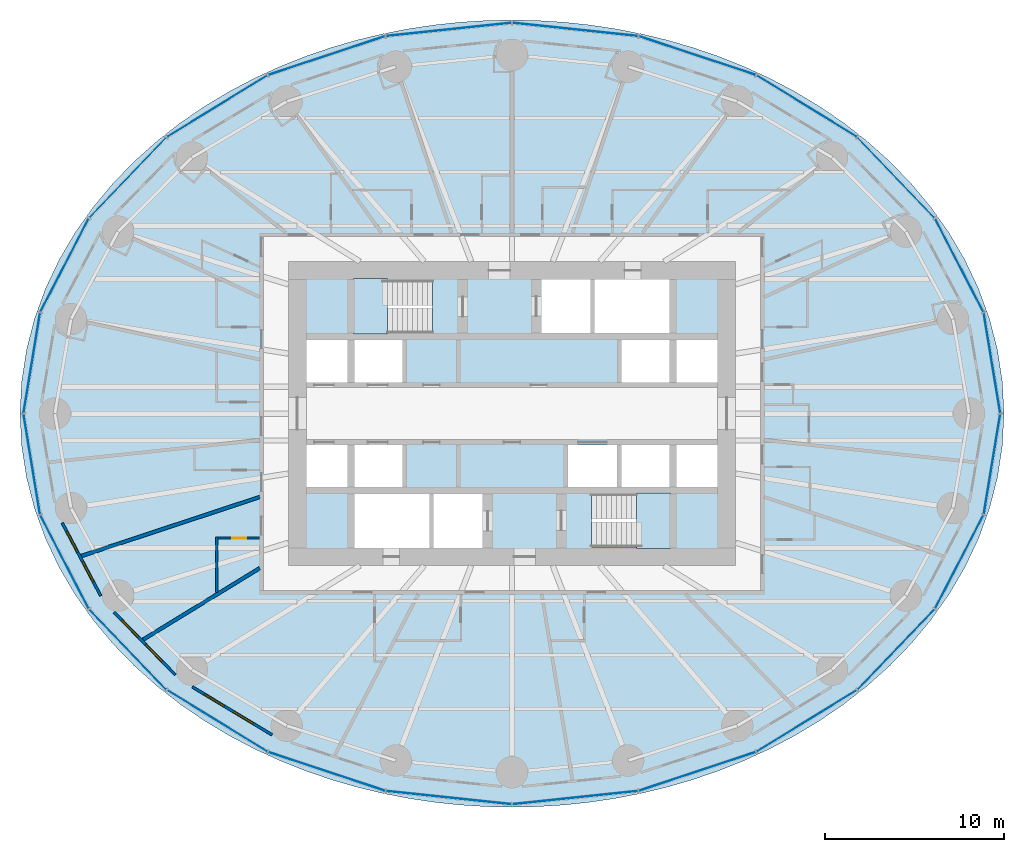
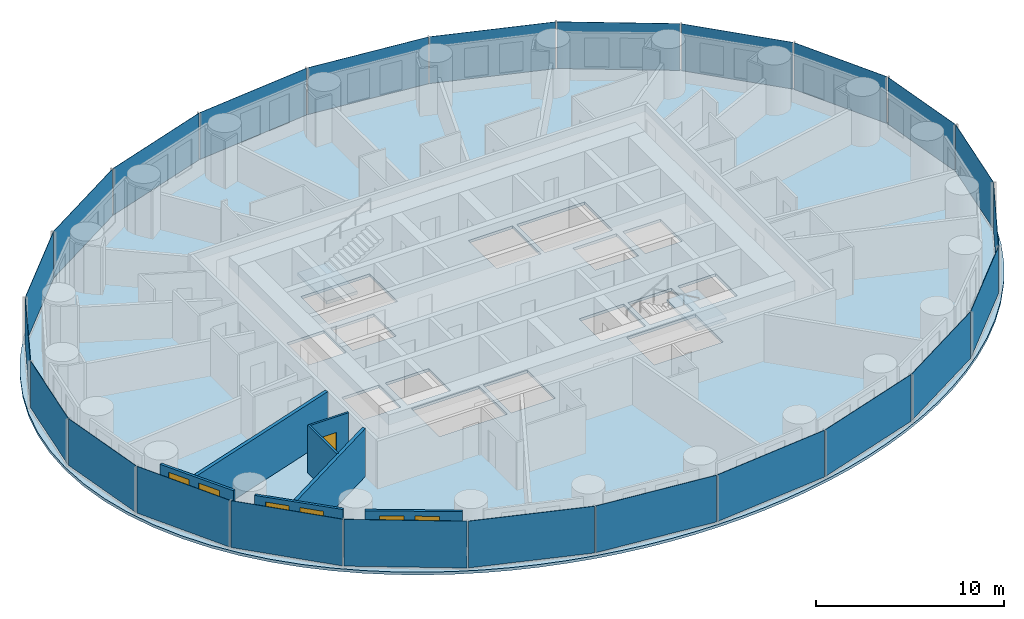
# One storey, part 5 of 13: 24 plates, 7 walls, 6 windows, 3 slabs, 1 door, 7 openings, 6 elements without a shape of their own.
"""IFC4 building model written with IfcOpenShell, lengths in metres."""

import ifcopenshell
import ifcopenshell.guid

model = None  # the IFC model being written
_history = None  # IfcOwnerHistory: only IFC2X3 demands one
_inside = {}  # id of a spatial element -> (the spatial element, [elements in it])
_under = {}  # id of a project, library or spatial element -> (it, [spatial elements below it])
_declared = {}  # id of a project -> (the project, [libraries it declares])
_typed = {}  # id of a type object -> (the type object, [elements of that type])
_made_of = {}  # id of a material, layer set ... -> (it, [elements and type objects made of it])


def new_model(schema):
    """Start an empty IFC model of exactly this schema.

    Asked for "IFC4X3", IfcOpenShell would pick the latest addendum, in which some entities
    have other attributes; the version numbers below select the first issue.
    IFC2X3 requires an IfcOwnerHistory on every rooted entity: one is made here for all.
    """
    global model, _history
    if schema == "IFC4X3":
        model = ifcopenshell.file(schema_version=(4, 3, 0, 0))
    else:
        model = ifcopenshell.file(schema=schema)
    _inside.clear()
    _under.clear()
    _declared.clear()
    _typed.clear()
    _made_of.clear()
    _history = None
    if model.schema == "IFC2X3":
        org = make("IfcOrganization", Name="unknown")
        user = make(
            "IfcPersonAndOrganization",
            ThePerson=make("IfcPerson", FamilyName="unknown"),
            TheOrganization=org,
        )
        app = make(
            "IfcApplication",
            ApplicationDeveloper=org,
            Version="unknown",
            ApplicationFullName="unknown",
            ApplicationIdentifier="unknown",
        )
        _history = make(
            "IfcOwnerHistory",
            OwningUser=user,
            OwningApplication=app,
            ChangeAction="ADDED",
            CreationDate=0,
        )
    return model


def make(cls, **values):
    """One entity of the class cls with the attributes given. An attribute that is None is left unset."""
    return model.create_entity(
        cls, **{name: value for name, value in values.items() if value is not None}
    )


def rooted(cls, **values):
    """An entity with a GlobalId (a new one), such as an element, a storey or a relation."""
    return make(cls, GlobalId=ifcopenshell.guid.new(), OwnerHistory=_history, **values)


def si_unit(unit_type, name, prefix=None):
    """IfcSIUnit, for example si_unit("LENGTHUNIT", "METRE", prefix="MILLI")."""
    return make("IfcSIUnit", UnitType=unit_type, Prefix=prefix, Name=name)


def assignment(units):
    """IfcUnitAssignment: the units of a project."""
    return None if units is None else make("IfcUnitAssignment", Units=units)


def point(xyz):
    """IfcCartesianPoint."""
    return None if xyz is None else make("IfcCartesianPoint", Coordinates=xyz)


def direction(xyz):
    """IfcDirection."""
    return None if xyz is None else make("IfcDirection", DirectionRatios=xyz)


def frame(location, z_axis=None, x_axis=None):
    """IfcAxis2Placement3D, a coordinate frame: its origin and axes. An axis left out is left unset."""
    return make(
        "IfcAxis2Placement3D",
        Location=point(location),
        Axis=direction(z_axis),
        RefDirection=direction(x_axis),
    )


def frame_2d(location, x_axis=None):
    """IfcAxis2Placement2D, a coordinate frame in the plane: its origin and x axis."""
    return make(
        "IfcAxis2Placement2D", Location=point(location), RefDirection=direction(x_axis)
    )


def origin():
    """The frame at (0, 0, 0) with its axes left unset."""
    return frame((0.0, 0.0, 0.0))


def origin_2d():
    """The frame at (0, 0) in the plane with its x axis left unset."""
    return frame_2d((0.0, 0.0))


def place(relative_to, where):
    """IfcLocalPlacement: puts the frame where relative to a parent placement (None: the world)."""
    return make(
        "IfcLocalPlacement", PlacementRelTo=relative_to, RelativePlacement=where
    )


def context(
    kind, dimensions, precision=None, world=None, true_north=None, identifier=None
):
    """IfcGeometricRepresentationContext, for example the 3D "Model" context."""
    return make(
        "IfcGeometricRepresentationContext",
        ContextIdentifier=identifier,
        ContextType=kind,
        CoordinateSpaceDimension=dimensions,
        Precision=precision,
        WorldCoordinateSystem=world,
        TrueNorth=true_north,
    )


def subcontext(parent, identifier, kind, view, scale=None):
    """IfcGeometricRepresentationSubContext, for example "Body" below "Model"."""
    return make(
        "IfcGeometricRepresentationSubContext",
        ContextIdentifier=identifier,
        ContextType=kind,
        ParentContext=parent,
        TargetScale=scale,
        TargetView=view,
    )


def project(units=None, contexts=None):
    """IfcProject with its units and contexts."""
    return rooted(
        "IfcProject",
        Name="project",
        RepresentationContexts=contexts,
        UnitsInContext=assignment(units),
    )


def spatial(cls, under=None, at=None, **own):
    """A site, building, storey or space (cls), placed at a placement, below another one or the project."""
    s = rooted(cls, ObjectPlacement=at, **own)
    if under is not None:
        _under.setdefault(under.id(), (under, []))[1].append(s)
    return s


def polyline(points):
    """IfcPolyline through the points."""
    return make("IfcPolyline", Points=[point(p) for p in points])


def profile(cls, at=None, kind="AREA", **sizes):
    """A parametric profile (cls). Its sizes go by their IFC names, for example OverallWidth=200.0."""
    return make(cls, ProfileType=kind, Position=at, **sizes)


def rectangle(**sizes):
    """IfcRectangleProfileDef."""
    return profile("IfcRectangleProfileDef", **sizes)


def outline(outer, holes=None, kind="AREA"):
    """IfcArbitraryClosedProfileDef: a profile drawn as a closed curve; with holes, ...WithVoids."""
    if holes is None:
        return make("IfcArbitraryClosedProfileDef", ProfileType=kind, OuterCurve=outer)
    return make(
        "IfcArbitraryProfileDefWithVoids",
        ProfileType=kind,
        OuterCurve=outer,
        InnerCurves=holes,
    )


def extrude(swept, where, along, depth):
    """IfcExtrudedAreaSolid: the profile swept, set in the frame where, extruded along a direction by depth."""
    return make(
        "IfcExtrudedAreaSolid",
        SweptArea=swept,
        Position=where,
        ExtrudedDirection=direction(along),
        Depth=depth,
    )


def shape(context_of_items, identifier, shape_type, items):
    """IfcShapeRepresentation: the items that make up one representation, for example the "Body"."""
    return make(
        "IfcShapeRepresentation",
        ContextOfItems=context_of_items,
        RepresentationIdentifier=identifier,
        RepresentationType=shape_type,
        Items=items,
    )


def material(Name=None, Category=None):
    """IfcMaterial."""
    return make("IfcMaterial", Name=Name, Category=Category)


def layer(
    of_material, thickness, ventilated=None, Name=None, Category=None, Priority=None
):
    """IfcMaterialLayer: one layer of a wall or slab, of a material (None: an air gap)."""
    return make(
        "IfcMaterialLayer",
        Material=of_material,
        LayerThickness=thickness,
        IsVentilated=ventilated,
        Name=Name,
        Category=Category,
        Priority=Priority,
    )


def layer_set(layers, Name=None):
    """IfcMaterialLayerSet."""
    return make("IfcMaterialLayerSet", MaterialLayers=layers, LayerSetName=Name)


def made_of(thing, what):
    """Note that an element or type object is made of a material, layer set ...; save() writes the relation."""
    if what is not None:
        _made_of.setdefault(what.id(), (what, []))[1].append(thing)
    return thing


def type_object(cls, material=None, **own):
    """A type object (cls), such as IfcWallType, which elements share."""
    return made_of(rooted(cls, **own), material)


def element(
    cls,
    number,
    at=None,
    inside=None,
    cuts=None,
    type_object=None,
    material=None,
    context=None,
    identifier="Body",
    shape_type=None,
    held_by="IfcProductDefinitionShape",
    body=None,
    shapes=None,
    **own,
):
    """One element of the class cls, such as IfcWall. Its Tag is "e" and its number.

    at: its placement. inside: the storey or other place that contains it. cuts: it is an
    opening in that element (IfcRelVoidsElement). A single representation is given by context,
    identifier, shape_type and body (its items); several are given by shapes. held_by: the class
    of the entity that holds the representations. save() writes the other relations.
    """
    e = rooted(cls, Tag="e%d" % number, ObjectPlacement=at, **own)
    if body is not None:
        shapes = [shape(context, identifier, shape_type, body)]
    if shapes is not None:
        e.Representation = make(held_by, Representations=shapes)
    if inside is not None:
        _inside.setdefault(inside.id(), (inside, []))[1].append(e)
    if cuts is not None:
        rooted(
            "IfcRelVoidsElement", RelatingBuildingElement=cuts, RelatedOpeningElement=e
        )
    if type_object is not None:
        _typed.setdefault(type_object.id(), (type_object, []))[1].append(e)
    return made_of(e, material)


def fill(opening, filler):
    """IfcRelFillsElement: the door or window that sits in an opening."""
    return rooted(
        "IfcRelFillsElement",
        RelatingOpeningElement=opening,
        RelatedBuildingElement=filler,
    )


def aggregate(whole, parts):
    """IfcRelAggregates: a whole, such as a stair, and the parts it consists of."""
    return rooted("IfcRelAggregates", RelatingObject=whole, RelatedObjects=parts)


def save(model, path):
    """Write the relations noted so far, then the file.

    IfcRelAggregates (storeys below a building ...), IfcRelContainedInSpatialStructure (elements
    in a storey), IfcRelDefinesByType, IfcRelAssociatesMaterial and IfcRelDeclares: one each for
    every whole, place, type object, material and project.
    """
    for whole, parts in _under.values():
        aggregate(whole, parts)
    for where, things in _inside.values():
        rooted(
            "IfcRelContainedInSpatialStructure",
            RelatedElements=things,
            RelatingStructure=where,
        )
    for kind, things in _typed.values():
        rooted("IfcRelDefinesByType", RelatedObjects=things, RelatingType=kind)
    for what, things in _made_of.values():
        rooted("IfcRelAssociatesMaterial", RelatedObjects=things, RelatingMaterial=what)
    for by, libraries in _declared.values():
        rooted("IfcRelDeclares", RelatingContext=by, RelatedDefinitions=libraries)
    model.write(path)


model = new_model("IFC4")

# Units and contexts
model_context = context("Model", 3, precision=1e-05, world=origin(), true_north=direction((0.0, 1.0)))
body_context = subcontext(model_context, "Body", "Model", "MODEL_VIEW")
ifc_project = project(units=[si_unit("LENGTHUNIT", "METRE"), si_unit("AREAUNIT", "SQUARE_METRE"), si_unit("VOLUMEUNIT", "CUBIC_METRE"), si_unit("PLANEANGLEUNIT", "RADIAN"), si_unit("MASSUNIT", "GRAM", prefix="KILO")], contexts=[model_context])

# Site, building, storey
site_placement = place(None, origin())
site = spatial("IfcSite", under=ifc_project, at=site_placement, CompositionType="ELEMENT")
building_placement = place(site_placement, origin())
building = spatial("IfcBuilding", under=site, at=building_placement, Name="Hankou Lantern Tower", CompositionType="ELEMENT")
storey_placement = place(building_placement, frame((0.0, 0.0, 39.300048828125)))
storey = spatial("IfcBuildingStorey", under=building, at=storey_placement, Name="L08", CompositionType="ELEMENT", Elevation=39.300048828125)

# Curtain wall, plates
ifc_material_1 = material(Name="Glass, dark grey tinted laminated", Category="glass")
curtain_wall_type = type_object("IfcCurtainWallType", Name="CWA OUTER SKIN LOW-RISE", PredefinedType="USERDEFINED", material=ifc_material_1)
curtain_wall_1_placement = place(storey_placement, origin())
curtain_wall_1 = element("IfcCurtainWall", 1, at=curtain_wall_1_placement, inside=storey, type_object=curtain_wall_type, Name="CWA L08 OS1", ObjectType="OUTER SKIN LOW-RISE", PredefinedType="USERDEFINED")
ifc_material_2 = material(Name="Glass, dark grey tinted laminated", Category="glass")
ifc_layer_1 = layer(ifc_material_2, 0.02392578125)
ifc_layer_set_1 = layer_set([ifc_layer_1], Name="Glass, dark grey tinted laminated")
plate_type = type_object("IfcPlateType", Name="PN1 OUTER SKIN GLASS PANEL", PredefinedType="CURTAIN_PANEL", material=ifc_layer_set_1)
plate_1_placement = place(storey_placement, frame((26.8349609375, 2.826416015625, 0.079833984375), z_axis=(0.0, 0.0, 1.0), x_axis=(-0.162381515188, 0.986728049427, 0.0)))
plate_1 = element("IfcPlate", 2, at=plate_1_placement, type_object=plate_type, Name="CWA glass panel 1", PredefinedType="CURTAIN_PANEL", context=body_context, shape_type="SweptSolid", body=[
    extrude(rectangle(XDim=5.648681640625, YDim=0.02392578125, at=origin_2d()), origin(), (0.0, 0.0, 1.0), 3.0400390625),
])
plate_2_placement = place(storey_placement, frame((25.006103515625, 8.286376953125, 0.079833984375), z_axis=(0.0, 0.0, 1.0), x_axis=(-0.459791091957, 0.888027112062, 0.0)))
plate_2 = element("IfcPlate", 3, at=plate_2_placement, type_object=plate_type, Name="CWA glass panel 2", PredefinedType="CURTAIN_PANEL", context=body_context, shape_type="SweptSolid", body=[
    extrude(rectangle(XDim=5.8515625, YDim=0.02392578125, at=origin_2d()), origin(), (0.0, 0.0, 1.0), 3.0400390625),
])
plate_3_placement = place(storey_placement, frame((21.47314453125, 13.181640625, 0.079833984375), z_axis=(0.0, 0.0, 1.0), x_axis=(-0.692215809936, 0.721690565599, 0.0)))
plate_3 = element("IfcPlate", 4, at=plate_3_placement, type_object=plate_type, Name="CWA glass panel 3", PredefinedType="CURTAIN_PANEL", context=body_context, shape_type="SweptSolid", body=[
    extrude(rectangle(XDim=6.1875, YDim=0.02392578125, at=origin_2d()), origin(), (0.0, 0.0, 1.0), 3.0400390625),
])
plate_4_placement = place(storey_placement, frame((16.47705078125, 17.1787109375, 0.079833984375), z_axis=(0.0, 0.0, 1.0), x_axis=(-0.852237151549, 0.523155653242, 0.0)))
plate_4 = element("IfcPlate", 5, at=plate_4_placement, type_object=plate_type, Name="CWA glass panel 4", PredefinedType="CURTAIN_PANEL", context=body_context, shape_type="SweptSolid", body=[
    extrude(rectangle(XDim=6.554443359375, YDim=0.02392578125, at=origin_2d()), origin(), (0.0, 0.0, 1.0), 3.0400390625),
])
plate_5_placement = place(storey_placement, frame((10.35791015625, 20.0048828125, 0.079833984375), z_axis=(0.0, 0.0, 1.0), x_axis=(-0.949240677293, 0.31455068999, 0.0)))
plate_5 = element("IfcPlate", 6, at=plate_5_placement, type_object=plate_type, Name="CWA glass panel 5", PredefinedType="CURTAIN_PANEL", context=body_context, shape_type="SweptSolid", body=[
    extrude(rectangle(XDim=6.856201171875, YDim=0.02392578125, at=origin_2d()), origin(), (0.0, 0.0, 1.0), 3.0400390625),
])
plate_6_placement = place(storey_placement, frame((3.532958984375, 21.468017578125, 0.079833984375), z_axis=(0.0, 0.0, 1.0), x_axis=(-0.994499359107, 0.104742659579, 0.0)))
plate_6 = element("IfcPlate", 7, at=plate_6_placement, type_object=plate_type, Name="CWA glass panel 6", PredefinedType="CURTAIN_PANEL", context=body_context, shape_type="SweptSolid", body=[
    extrude(rectangle(XDim=7.02490234375, YDim=0.02392578125, at=origin_2d()), origin(), (0.0, 0.0, 1.0), 3.0400390625),
])
aggregate(curtain_wall_1, [plate_1, plate_2, plate_3, plate_4, plate_5, plate_6])

curtain_wall_2_placement = place(storey_placement, origin())
curtain_wall_2 = element("IfcCurtainWall", 8, at=curtain_wall_2_placement, inside=storey, type_object=curtain_wall_type, Name="CWA L08 OS2", ObjectType="OUTER SKIN LOW-RISE", PredefinedType="USERDEFINED")
plate_7_placement = place(storey_placement, frame((-3.532958984375, 21.468017578125, 0.079833984375), z_axis=(0.0, 0.0, 1.0), x_axis=(-0.994499359107, -0.104742659579, 0.0)))
plate_7 = element("IfcPlate", 9, at=plate_7_placement, type_object=plate_type, Name="CWA glass panel 1", PredefinedType="CURTAIN_PANEL", context=body_context, shape_type="SweptSolid", body=[
    extrude(rectangle(XDim=7.02490234375, YDim=0.02392578125, at=origin_2d()), origin(), (0.0, 0.0, 1.0), 3.0400390625),
])
plate_8_placement = place(storey_placement, frame((-10.35791015625, 20.0048828125, 0.079833984375), z_axis=(0.0, 0.0, 1.0), x_axis=(-0.949240677293, -0.31455068999, 0.0)))
plate_8 = element("IfcPlate", 10, at=plate_8_placement, type_object=plate_type, Name="CWA glass panel 2", PredefinedType="CURTAIN_PANEL", context=body_context, shape_type="SweptSolid", body=[
    extrude(rectangle(XDim=6.856201171875, YDim=0.02392578125, at=origin_2d()), origin(), (0.0, 0.0, 1.0), 3.0400390625),
])
plate_9_placement = place(storey_placement, frame((-16.47705078125, 17.1787109375, 0.079833984375), z_axis=(0.0, 0.0, 1.0), x_axis=(-0.852237151549, -0.523155653242, 0.0)))
plate_9 = element("IfcPlate", 11, at=plate_9_placement, type_object=plate_type, Name="CWA glass panel 3", PredefinedType="CURTAIN_PANEL", context=body_context, shape_type="SweptSolid", body=[
    extrude(rectangle(XDim=6.554443359375, YDim=0.02392578125, at=origin_2d()), origin(), (0.0, 0.0, 1.0), 3.0400390625),
])
plate_10_placement = place(storey_placement, frame((-21.47314453125, 13.181640625, 0.079833984375), z_axis=(0.0, 0.0, 1.0), x_axis=(-0.692215809936, -0.721690565599, 0.0)))
plate_10 = element("IfcPlate", 12, at=plate_10_placement, type_object=plate_type, Name="CWA glass panel 4", PredefinedType="CURTAIN_PANEL", context=body_context, shape_type="SweptSolid", body=[
    extrude(rectangle(XDim=6.1875, YDim=0.02392578125, at=origin_2d()), origin(), (0.0, 0.0, 1.0), 3.0400390625),
])
plate_11_placement = place(storey_placement, frame((-25.006103515625, 8.286376953125, 0.079833984375), z_axis=(0.0, 0.0, 1.0), x_axis=(-0.459791091957, -0.888027112062, 0.0)))
plate_11 = element("IfcPlate", 13, at=plate_11_placement, type_object=plate_type, Name="CWA glass panel 5", PredefinedType="CURTAIN_PANEL", context=body_context, shape_type="SweptSolid", body=[
    extrude(rectangle(XDim=5.8515625, YDim=0.02392578125, at=origin_2d()), origin(), (0.0, 0.0, 1.0), 3.0400390625),
])
plate_12_placement = place(storey_placement, frame((-26.8349609375, 2.826416015625, 0.079833984375), z_axis=(0.0, 0.0, 1.0), x_axis=(-0.162381515188, -0.986728049427, 0.0)))
plate_12 = element("IfcPlate", 14, at=plate_12_placement, type_object=plate_type, Name="CWA glass panel 6", PredefinedType="CURTAIN_PANEL", context=body_context, shape_type="SweptSolid", body=[
    extrude(rectangle(XDim=5.648681640625, YDim=0.02392578125, at=origin_2d()), origin(), (0.0, 0.0, 1.0), 3.0400390625),
])
aggregate(curtain_wall_2, [plate_7, plate_8, plate_9, plate_10, plate_11, plate_12])

curtain_wall_3_placement = place(storey_placement, origin())
curtain_wall_3 = element("IfcCurtainWall", 15, at=curtain_wall_3_placement, inside=storey, type_object=curtain_wall_type, Name="CWA L08 OS3", ObjectType="OUTER SKIN LOW-RISE", PredefinedType="USERDEFINED")
plate_13_placement = place(storey_placement, frame((-26.8349609375, -2.826416015625, 0.079833984375), z_axis=(0.0, 0.0, 1.0), x_axis=(0.162381515188, -0.986728049427, 0.0)))
plate_13 = element("IfcPlate", 16, at=plate_13_placement, type_object=plate_type, Name="CWA glass panel 1", PredefinedType="CURTAIN_PANEL", context=body_context, shape_type="SweptSolid", body=[
    extrude(rectangle(XDim=5.648681640625, YDim=0.02392578125, at=origin_2d()), origin(), (0.0, 0.0, 1.0), 3.0400390625),
])
plate_14_placement = place(storey_placement, frame((-25.006103515625, -8.286376953125, 0.079833984375), z_axis=(0.0, 0.0, 1.0), x_axis=(0.459791091957, -0.888027112062, 0.0)))
plate_14 = element("IfcPlate", 17, at=plate_14_placement, type_object=plate_type, Name="CWA glass panel 2", PredefinedType="CURTAIN_PANEL", context=body_context, shape_type="SweptSolid", body=[
    extrude(rectangle(XDim=5.8515625, YDim=0.02392578125, at=origin_2d()), origin(), (0.0, 0.0, 1.0), 3.0400390625),
])
plate_15_placement = place(storey_placement, frame((-21.47314453125, -13.181640625, 0.079833984375), z_axis=(0.0, 0.0, 1.0), x_axis=(0.692215809936, -0.721690565599, 0.0)))
plate_15 = element("IfcPlate", 18, at=plate_15_placement, type_object=plate_type, Name="CWA glass panel 3", PredefinedType="CURTAIN_PANEL", context=body_context, shape_type="SweptSolid", body=[
    extrude(rectangle(XDim=6.1875, YDim=0.02392578125, at=origin_2d()), origin(), (0.0, 0.0, 1.0), 3.0400390625),
])
plate_16_placement = place(storey_placement, frame((-16.47705078125, -17.1787109375, 0.079833984375), z_axis=(0.0, 0.0, 1.0), x_axis=(0.852237151549, -0.523155653242, 0.0)))
plate_16 = element("IfcPlate", 19, at=plate_16_placement, type_object=plate_type, Name="CWA glass panel 4", PredefinedType="CURTAIN_PANEL", context=body_context, shape_type="SweptSolid", body=[
    extrude(rectangle(XDim=6.554443359375, YDim=0.02392578125, at=origin_2d()), origin(), (0.0, 0.0, 1.0), 3.0400390625),
])
plate_17_placement = place(storey_placement, frame((-10.35791015625, -20.0048828125, 0.079833984375), z_axis=(0.0, 0.0, 1.0), x_axis=(0.949240677293, -0.31455068999, 0.0)))
plate_17 = element("IfcPlate", 20, at=plate_17_placement, type_object=plate_type, Name="CWA glass panel 5", PredefinedType="CURTAIN_PANEL", context=body_context, shape_type="SweptSolid", body=[
    extrude(rectangle(XDim=6.856201171875, YDim=0.02392578125, at=origin_2d()), origin(), (0.0, 0.0, 1.0), 3.0400390625),
])
plate_18_placement = place(storey_placement, frame((-3.532958984375, -21.468017578125, 0.079833984375), z_axis=(0.0, 0.0, 1.0), x_axis=(0.994499359107, -0.104742659579, 0.0)))
plate_18 = element("IfcPlate", 21, at=plate_18_placement, type_object=plate_type, Name="CWA glass panel 6", PredefinedType="CURTAIN_PANEL", context=body_context, shape_type="SweptSolid", body=[
    extrude(rectangle(XDim=7.02490234375, YDim=0.02392578125, at=origin_2d()), origin(), (0.0, 0.0, 1.0), 3.0400390625),
])
aggregate(curtain_wall_3, [plate_13, plate_14, plate_15, plate_16, plate_17, plate_18])

curtain_wall_4_placement = place(storey_placement, origin())
curtain_wall_4 = element("IfcCurtainWall", 22, at=curtain_wall_4_placement, inside=storey, type_object=curtain_wall_type, Name="CWA L08 OS4", ObjectType="OUTER SKIN LOW-RISE", PredefinedType="USERDEFINED")
plate_19_placement = place(storey_placement, frame((3.532958984375, -21.468017578125, 0.079833984375), z_axis=(0.0, 0.0, 1.0), x_axis=(0.994499359107, 0.104742659579, 0.0)))
plate_19 = element("IfcPlate", 23, at=plate_19_placement, type_object=plate_type, Name="CWA glass panel 1", PredefinedType="CURTAIN_PANEL", context=body_context, shape_type="SweptSolid", body=[
    extrude(rectangle(XDim=7.02490234375, YDim=0.02392578125, at=origin_2d()), origin(), (0.0, 0.0, 1.0), 3.0400390625),
])
plate_20_placement = place(storey_placement, frame((10.35791015625, -20.0048828125, 0.079833984375), z_axis=(0.0, 0.0, 1.0), x_axis=(0.949240677293, 0.31455068999, 0.0)))
plate_20 = element("IfcPlate", 24, at=plate_20_placement, type_object=plate_type, Name="CWA glass panel 2", PredefinedType="CURTAIN_PANEL", context=body_context, shape_type="SweptSolid", body=[
    extrude(rectangle(XDim=6.856201171875, YDim=0.02392578125, at=origin_2d()), origin(), (0.0, 0.0, 1.0), 3.0400390625),
])
plate_21_placement = place(storey_placement, frame((16.47705078125, -17.1787109375, 0.079833984375), z_axis=(0.0, 0.0, 1.0), x_axis=(0.852237151549, 0.523155653242, 0.0)))
plate_21 = element("IfcPlate", 25, at=plate_21_placement, type_object=plate_type, Name="CWA glass panel 3", PredefinedType="CURTAIN_PANEL", context=body_context, shape_type="SweptSolid", body=[
    extrude(rectangle(XDim=6.554443359375, YDim=0.02392578125, at=origin_2d()), origin(), (0.0, 0.0, 1.0), 3.0400390625),
])
plate_22_placement = place(storey_placement, frame((21.47314453125, -13.181640625, 0.079833984375), z_axis=(0.0, 0.0, 1.0), x_axis=(0.692215809936, 0.721690565599, 0.0)))
plate_22 = element("IfcPlate", 26, at=plate_22_placement, type_object=plate_type, Name="CWA glass panel 4", PredefinedType="CURTAIN_PANEL", context=body_context, shape_type="SweptSolid", body=[
    extrude(rectangle(XDim=6.1875, YDim=0.02392578125, at=origin_2d()), origin(), (0.0, 0.0, 1.0), 3.0400390625),
])
plate_23_placement = place(storey_placement, frame((25.006103515625, -8.286376953125, 0.079833984375), z_axis=(0.0, 0.0, 1.0), x_axis=(0.459791091957, 0.888027112062, 0.0)))
plate_23 = element("IfcPlate", 27, at=plate_23_placement, type_object=plate_type, Name="CWA glass panel 5", PredefinedType="CURTAIN_PANEL", context=body_context, shape_type="SweptSolid", body=[
    extrude(rectangle(XDim=5.8515625, YDim=0.02392578125, at=origin_2d()), origin(), (0.0, 0.0, 1.0), 3.0400390625),
])
plate_24_placement = place(storey_placement, frame((26.8349609375, -2.826416015625, 0.079833984375), z_axis=(0.0, 0.0, 1.0), x_axis=(0.162381515188, 0.986728049427, 0.0)))
plate_24 = element("IfcPlate", 28, at=plate_24_placement, type_object=plate_type, Name="CWA glass panel 6", PredefinedType="CURTAIN_PANEL", context=body_context, shape_type="SweptSolid", body=[
    extrude(rectangle(XDim=5.648681640625, YDim=0.02392578125, at=origin_2d()), origin(), (0.0, 0.0, 1.0), 3.0400390625),
])
aggregate(curtain_wall_4, [plate_19, plate_20, plate_21, plate_22, plate_23, plate_24])

# Slab
ifc_material_3 = material(Name="Concrete C50", Category="concrete")
ifc_layer_2 = layer(ifc_material_3, 0.179931640625)
ifc_layer_set_2 = layer_set([ifc_layer_2], Name="Concrete C50")
slab_type_1 = type_object("IfcSlabType", Name="S1 CONCRETE FLOOR SLAB 180", PredefinedType="FLOOR", material=ifc_layer_set_2)
slab_1_placement = place(storey_placement, frame((0.0, 0.0, -0.179931640625)))
element("IfcSlab", 29, at=slab_1_placement, inside=storey, type_object=slab_type_1, Name="Floor slab L08", PredefinedType="FLOOR", context=body_context, shape_type="SweptSolid", body=[
    extrude(outline(polyline([(27.5, 0.0), (27.408203125, 1.79638671875), (27.135009765625, 3.572509765625), (26.6875, 5.308349609375), (26.076171875, 6.987060546875), (25.3154296875, 8.593505859375), (24.420654296875, 10.115478515625), (23.40966796875, 11.54443359375), (22.29931640625, 12.87451171875), (21.1064453125, 14.102783203125), (19.846435546875, 15.228759765625), (18.533447265625, 16.25341796875), (17.17919921875, 17.17919921875), (15.794189453125, 18.009765625), (14.38671875, 18.749267578125), (12.964111328125, 19.402099609375), (11.53125, 19.972412109375), (10.09228515625, 20.46484375), (8.650146484375, 20.88330078125), (7.20703125, 21.23095703125), (5.763916015625, 21.51123046875), (4.32177734375, 21.7265625), (2.88037109375, 21.87890625), (1.43994140625, 21.9697265625), (0.0, 22.0), (-1.43994140625, 21.9697265625), (-2.88037109375, 21.87890625), (-4.32177734375, 21.7265625), (-5.763916015625, 21.51123046875), (-7.20703125, 21.23095703125), (-8.650146484375, 20.88330078125), (-10.09228515625, 20.46484375), (-11.53125, 19.972412109375), (-12.964111328125, 19.402099609375), (-14.38671875, 18.749267578125), (-15.794189453125, 18.009765625), (-17.17919921875, 17.17919921875), (-18.533447265625, 16.25341796875), (-19.846435546875, 15.228759765625), (-21.1064453125, 14.102783203125), (-22.29931640625, 12.87451171875), (-23.40966796875, 11.54443359375), (-24.420654296875, 10.115478515625), (-25.3154296875, 8.593505859375), (-26.076171875, 6.987060546875), (-26.6875, 5.308349609375), (-27.135009765625, 3.572509765625), (-27.408203125, 1.79638671875), (-27.5, 0.0), (-27.408203125, -1.79638671875), (-27.135009765625, -3.572509765625), (-26.6875, -5.308349609375), (-26.076171875, -6.987060546875), (-25.3154296875, -8.593505859375), (-24.420654296875, -10.115478515625), (-23.40966796875, -11.54443359375), (-22.29931640625, -12.87451171875), (-21.1064453125, -14.102783203125), (-19.846435546875, -15.228759765625), (-18.533447265625, -16.25341796875), (-17.17919921875, -17.17919921875), (-15.794189453125, -18.009765625), (-14.38671875, -18.749267578125), (-12.964111328125, -19.402099609375), (-11.53125, -19.972412109375), (-10.09228515625, -20.46484375), (-8.650146484375, -20.88330078125), (-7.20703125, -21.23095703125), (-5.763916015625, -21.51123046875), (-4.32177734375, -21.7265625), (-2.88037109375, -21.87890625), (-1.43994140625, -21.9697265625), (0.0, -22.0), (1.43994140625, -21.9697265625), (2.88037109375, -21.87890625), (4.32177734375, -21.7265625), (5.763916015625, -21.51123046875), (7.20703125, -21.23095703125), (8.650146484375, -20.88330078125), (10.09228515625, -20.46484375), (11.53125, -19.972412109375), (12.964111328125, -19.402099609375), (14.38671875, -18.749267578125), (15.794189453125, -18.009765625), (17.17919921875, -17.17919921875), (18.533447265625, -16.25341796875), (19.846435546875, -15.228759765625), (21.1064453125, -14.102783203125), (22.29931640625, -12.87451171875), (23.40966796875, -11.54443359375), (24.420654296875, -10.115478515625), (25.3154296875, -8.593505859375), (26.076171875, -6.987060546875), (26.6875, -5.308349609375), (27.135009765625, -3.572509765625), (27.408203125, -1.79638671875), (27.5, 0.0)]), holes=[polyline([(-11.5, 4.10009765625), (-9.199951171875, 4.10009765625), (-9.199951171875, 1.75), (-11.5, 1.75), (-11.5, 4.10009765625)]), polyline([(-8.800048828125, 4.10009765625), (-6.125, 4.10009765625), (-6.125, 1.75), (-8.800048828125, 1.75), (-8.800048828125, 4.10009765625)]), polyline([(6.125, 4.10009765625), (8.800048828125, 4.10009765625), (8.800048828125, 1.75), (6.125, 1.75), (6.125, 4.10009765625)]), polyline([(9.199951171875, 4.10009765625), (11.5, 4.10009765625), (11.5, 1.75), (9.199951171875, 1.75), (9.199951171875, 4.10009765625)]), polyline([(-11.5, -1.75), (-9.199951171875, -1.75), (-9.199951171875, -4.10009765625), (-11.5, -4.10009765625), (-11.5, -1.75)]), polyline([(-8.800048828125, -1.75), (-6.125, -1.75), (-6.125, -4.10009765625), (-8.800048828125, -4.10009765625), (-8.800048828125, -1.75)]), polyline([(3.125, -1.75), (5.875, -1.75), (5.875, -4.10009765625), (3.125, -4.10009765625), (3.125, -1.75)]), polyline([(6.125, -1.75), (8.800048828125, -1.75), (8.800048828125, -4.10009765625), (6.125, -4.10009765625), (6.125, -1.75)]), polyline([(9.199951171875, -1.75), (11.5, -1.75), (11.5, -4.10009765625), (9.199951171875, -4.10009765625), (9.199951171875, -1.75)]), polyline([(1.64990234375, 7.5), (4.375, 7.5), (4.375, 4.5), (1.64990234375, 4.5), (1.64990234375, 7.5)]), polyline([(-4.375, -4.5), (-1.64990234375, -4.5), (-1.64990234375, -7.5), (-4.375, -7.5), (-4.375, -4.5)]), polyline([(-8.699951171875, 7.449951171875), (-4.449951171875, 7.449951171875), (-4.449951171875, 4.5), (-8.699951171875, 4.5), (-8.699951171875, 7.449951171875)]), polyline([(4.449951171875, -4.5), (8.699951171875, -4.5), (8.699951171875, -7.449951171875), (4.449951171875, -7.449951171875), (4.449951171875, -4.5)]), polyline([(4.625, 7.5), (8.800048828125, 7.5), (8.800048828125, 4.5), (4.625, 4.5), (4.625, 7.5)]), polyline([(-8.800048828125, -4.5), (-4.625, -4.5), (-4.625, -7.5), (-8.800048828125, -7.5), (-8.800048828125, -4.5)])]), origin(), (0.0, 0.0, 1.0), 0.179931640625),
])

# Stair, slab
ifc_material_4 = material(Name="Concrete C40", Category="concrete")
stair_type = type_object("IfcStairType", Name="ST33 CORE STAIR 3300 RISE", PredefinedType="HALF_TURN_STAIR", material=ifc_material_4)
stair_1_placement = place(storey_placement, origin())
stair_1 = element("IfcStair", 30, at=stair_1_placement, inside=storey, type_object=stair_type, Name="Stair STA L08", PredefinedType="HALF_TURN_STAIR")
ifc_material_5 = material(Name="Concrete C40", Category="concrete")
ifc_layer_3 = layer(ifc_material_5, 0.199951171875)
ifc_layer_set_3 = layer_set([ifc_layer_3], Name="Concrete C40")
slab_type_2 = type_object("IfcSlabType", Name="SL1 STAIR LANDING 200", PredefinedType="LANDING", material=ifc_layer_set_3)
slab_2_placement = place(storey_placement, frame((0.0, 0.0, 1.371337890625)))
slab_2 = element("IfcSlab", 31, at=slab_2_placement, type_object=slab_type_2, Name="STA landing 1", PredefinedType="LANDING", context=body_context, shape_type="SweptSolid", body=[
    extrude(outline(polyline([(-8.85009765625, 4.449951171875), (-6.949951171875, 4.449951171875), (-6.949951171875, 7.550048828125), (-8.85009765625, 7.550048828125), (-8.85009765625, 4.449951171875)])), origin(), (0.0, 0.0, 1.0), 0.199951171875),
])
aggregate(stair_1, [slab_2])

stair_2_placement = place(storey_placement, origin())
stair_2 = element("IfcStair", 32, at=stair_2_placement, inside=storey, type_object=stair_type, Name="Stair STB L08", PredefinedType="HALF_TURN_STAIR")
slab_3_placement = place(storey_placement, frame((0.0, 0.0, 1.371337890625)))
slab_3 = element("IfcSlab", 33, at=slab_3_placement, type_object=slab_type_2, Name="STB landing 1", PredefinedType="LANDING", context=body_context, shape_type="SweptSolid", body=[
    extrude(outline(polyline([(8.85009765625, -4.449951171875), (6.949951171875, -4.449951171875), (6.949951171875, -7.550048828125), (8.85009765625, -7.550048828125), (8.85009765625, -4.449951171875)])), origin(), (0.0, 0.0, 1.0), 0.199951171875),
])
aggregate(stair_2, [slab_3])

# Wall, openings, windows
ifc_material_6 = material(Name="Aluminium spandrel panel on steel studs", Category="steel")
ifc_layer_4 = layer(ifc_material_6, 0.14990234375)
ifc_layer_set_4 = layer_set([ifc_layer_4], Name="Aluminium spandrel panel on steel studs")
wall_type_1 = type_object("IfcWallType", Name="EW1 INNER SKIN WALL 150", PredefinedType="ELEMENTEDWALL", material=ifc_layer_set_4)
wall_1_placement = place(storey_placement, frame((-25.138671875, -6.11279296875, 0.0), z_axis=(0.0, 0.0, 1.0), x_axis=(0.467303182954, -0.884097129959, 0.0)))
wall_1 = element("IfcWall", 34, at=wall_1_placement, inside=storey, type_object=wall_type_1, Name="Inner skin R14-R15 L08", PredefinedType="ELEMENTEDWALL", context=body_context, shape_type="SweptSolid", body=[
    extrude(rectangle(XDim=4.6064453125, YDim=0.14990234375, at=frame_2d((2.30322265625, 0.0))), origin(), (0.0, 0.0, 1.0), 3.119873046875),
])
opening_1_placement = place(wall_1_placement, frame((0.531494140625, 0.0, 0.89990234375)))
opening_1 = element("IfcOpeningElement", 35, at=opening_1_placement, cuts=wall_1, Name="Opening W9", PredefinedType="OPENING", context=body_context, shape_type="SweptSolid", body=[
    extrude(rectangle(XDim=1.300048828125, YDim=1.89990234375, at=frame_2d((0.64990234375, 0.949951171875))), frame((0.0, 0.0849609375, 0.0), z_axis=(0.0, -1.0, 0.0), x_axis=(1.0, 0.0, 0.0)), (0.0, 0.0, 1.0), 0.169921875),
])
opening_2_placement = place(wall_1_placement, frame((2.431640625, 0.0, 0.89990234375)))
opening_2 = element("IfcOpeningElement", 36, at=opening_2_placement, cuts=wall_1, Name="Opening W9", PredefinedType="OPENING", context=body_context, shape_type="SweptSolid", body=[
    extrude(rectangle(XDim=1.300048828125, YDim=1.89990234375, at=frame_2d((0.64990234375, 0.949951171875))), frame((0.0, 0.0849609375, 0.0), z_axis=(0.0, -1.0, 0.0), x_axis=(1.0, 0.0, 0.0)), (0.0, 0.0, 1.0), 0.169921875),
])
ifc_material_7 = material(Name="Aluminium framed double glazed window", Category="aluminium")
window_type = type_object("IfcWindowType", Name="W9 GUEST ROOM WINDOW 1300X1900", PartitioningType="DOUBLE_PANEL_VERTICAL", PredefinedType="WINDOW", material=ifc_material_7)
window_1_placement = place(opening_1_placement, origin())
window_1 = element("IfcWindow", 37, at=window_1_placement, inside=storey, type_object=window_type, Name="Window R14.1 L08", OverallHeight=1.89990234375, OverallWidth=1.300048828125, PartitioningType="SINGLE_PANEL", PredefinedType="WINDOW", context=body_context, shape_type="SweptSolid", body=[
    extrude(rectangle(XDim=1.300048828125, YDim=1.89990234375, at=frame_2d((0.64990234375, 0.949951171875))), frame((0.0, 0.030029296875, 0.0), z_axis=(0.0, -1.0, 0.0), x_axis=(1.0, 0.0, 0.0)), (0.0, 0.0, 1.0), 0.06005859375),
])
fill(opening_1, window_1)
window_2_placement = place(opening_2_placement, origin())
window_2 = element("IfcWindow", 38, at=window_2_placement, inside=storey, type_object=window_type, Name="Window R14.2 L08", OverallHeight=1.89990234375, OverallWidth=1.300048828125, PartitioningType="SINGLE_PANEL", PredefinedType="WINDOW", context=body_context, shape_type="SweptSolid", body=[
    extrude(rectangle(XDim=1.300048828125, YDim=1.89990234375, at=frame_2d((0.64990234375, 0.949951171875))), frame((0.0, 0.030029296875, 0.0), z_axis=(0.0, -1.0, 0.0), x_axis=(1.0, 0.0, 0.0)), (0.0, 0.0, 1.0), 0.06005859375),
])
fill(opening_2, window_2)

wall_2_placement = place(storey_placement, frame((-22.23876953125, -11.1083984375, 0.0), z_axis=(0.0, 0.0, 1.0), x_axis=(0.699612594083, -0.714522370679, 0.0)))
wall_2 = element("IfcWall", 39, at=wall_2_placement, inside=storey, type_object=wall_type_1, Name="Inner skin R15-R16 L08", PredefinedType="ELEMENTEDWALL", context=body_context, shape_type="SweptSolid", body=[
    extrude(rectangle(XDim=4.89599609375, YDim=0.14990234375, at=frame_2d((2.447998046875, 0.0))), origin(), (0.0, 0.0, 1.0), 3.119873046875),
])
opening_3_placement = place(wall_2_placement, frame((0.619140625, 0.0, 0.89990234375)))
opening_3 = element("IfcOpeningElement", 40, at=opening_3_placement, cuts=wall_2, Name="Opening W9", PredefinedType="OPENING", context=body_context, shape_type="SweptSolid", body=[
    extrude(rectangle(XDim=1.300048828125, YDim=1.89990234375, at=frame_2d((0.64990234375, 0.949951171875))), frame((0.0, 0.0849609375, 0.0), z_axis=(0.0, -1.0, 0.0), x_axis=(1.0, 0.0, 0.0)), (0.0, 0.0, 1.0), 0.169921875),
])
opening_4_placement = place(wall_2_placement, frame((2.51904296875, 0.0, 0.89990234375)))
opening_4 = element("IfcOpeningElement", 41, at=opening_4_placement, cuts=wall_2, Name="Opening W9", PredefinedType="OPENING", context=body_context, shape_type="SweptSolid", body=[
    extrude(rectangle(XDim=1.300048828125, YDim=1.89990234375, at=frame_2d((0.64990234375, 0.949951171875))), frame((0.0, 0.0849609375, 0.0), z_axis=(0.0, -1.0, 0.0), x_axis=(1.0, 0.0, 0.0)), (0.0, 0.0, 1.0), 0.169921875),
])
window_3_placement = place(opening_3_placement, origin())
window_3 = element("IfcWindow", 42, at=window_3_placement, inside=storey, type_object=window_type, Name="Window R15.1 L08", OverallHeight=1.89990234375, OverallWidth=1.300048828125, PartitioningType="SINGLE_PANEL", PredefinedType="WINDOW", context=body_context, shape_type="SweptSolid", body=[
    extrude(rectangle(XDim=1.300048828125, YDim=1.89990234375, at=frame_2d((0.64990234375, 0.949951171875))), frame((0.0, 0.030029296875, 0.0), z_axis=(0.0, -1.0, 0.0), x_axis=(1.0, 0.0, 0.0)), (0.0, 0.0, 1.0), 0.06005859375),
])
fill(opening_3, window_3)
window_4_placement = place(opening_4_placement, origin())
window_4 = element("IfcWindow", 43, at=window_4_placement, inside=storey, type_object=window_type, Name="Window R15.2 L08", OverallHeight=1.89990234375, OverallWidth=1.300048828125, PartitioningType="SINGLE_PANEL", PredefinedType="WINDOW", context=body_context, shape_type="SweptSolid", body=[
    extrude(rectangle(XDim=1.300048828125, YDim=1.89990234375, at=frame_2d((0.64990234375, 0.949951171875))), frame((0.0, 0.030029296875, 0.0), z_axis=(0.0, -1.0, 0.0), x_axis=(1.0, 0.0, 0.0)), (0.0, 0.0, 1.0), 0.06005859375),
])
fill(opening_4, window_4)

wall_3_placement = place(storey_placement, frame((-17.869384765625, -15.276611328125, 0.0), z_axis=(0.0, 0.0, 1.0), x_axis=(0.856958191554, -0.515385931054, 0.0)))
wall_3 = element("IfcWall", 44, at=wall_3_placement, inside=storey, type_object=wall_type_1, Name="Inner skin R16-R17 L08", PredefinedType="ELEMENTEDWALL", context=body_context, shape_type="SweptSolid", body=[
    extrude(rectangle(XDim=5.201171875, YDim=0.14990234375, at=frame_2d((2.6005859375, 0.0))), origin(), (0.0, 0.0, 1.0), 3.119873046875),
])
opening_5_placement = place(wall_3_placement, frame((0.7763671875, 0.0, 0.89990234375)))
opening_5 = element("IfcOpeningElement", 45, at=opening_5_placement, cuts=wall_3, Name="Opening W9", PredefinedType="OPENING", context=body_context, shape_type="SweptSolid", body=[
    extrude(rectangle(XDim=1.300048828125, YDim=1.89990234375, at=frame_2d((0.64990234375, 0.949951171875))), frame((0.0, 0.0849609375, 0.0), z_axis=(0.0, -1.0, 0.0), x_axis=(1.0, 0.0, 0.0)), (0.0, 0.0, 1.0), 0.169921875),
])
opening_6_placement = place(wall_3_placement, frame((2.67626953125, 0.0, 0.89990234375)))
opening_6 = element("IfcOpeningElement", 46, at=opening_6_placement, cuts=wall_3, Name="Opening W9", PredefinedType="OPENING", context=body_context, shape_type="SweptSolid", body=[
    extrude(rectangle(XDim=1.300048828125, YDim=1.89990234375, at=frame_2d((0.64990234375, 0.949951171875))), frame((0.0, 0.0849609375, 0.0), z_axis=(0.0, -1.0, 0.0), x_axis=(1.0, 0.0, 0.0)), (0.0, 0.0, 1.0), 0.169921875),
])
window_5_placement = place(opening_5_placement, origin())
window_5 = element("IfcWindow", 47, at=window_5_placement, inside=storey, type_object=window_type, Name="Window R16.1 L08", OverallHeight=1.89990234375, OverallWidth=1.300048828125, PartitioningType="SINGLE_PANEL", PredefinedType="WINDOW", context=body_context, shape_type="SweptSolid", body=[
    extrude(rectangle(XDim=1.300048828125, YDim=1.89990234375, at=frame_2d((0.64990234375, 0.949951171875))), frame((0.0, 0.030029296875, 0.0), z_axis=(0.0, -1.0, 0.0), x_axis=(1.0, 0.0, 0.0)), (0.0, 0.0, 1.0), 0.06005859375),
])
fill(opening_5, window_5)
window_6_placement = place(opening_6_placement, origin())
window_6 = element("IfcWindow", 48, at=window_6_placement, inside=storey, type_object=window_type, Name="Window R16.2 L08", OverallHeight=1.89990234375, OverallWidth=1.300048828125, PartitioningType="SINGLE_PANEL", PredefinedType="WINDOW", context=body_context, shape_type="SweptSolid", body=[
    extrude(rectangle(XDim=1.300048828125, YDim=1.89990234375, at=frame_2d((0.64990234375, 0.949951171875))), frame((0.0, 0.030029296875, 0.0), z_axis=(0.0, -1.0, 0.0), x_axis=(1.0, 0.0, 0.0)), (0.0, 0.0, 1.0), 0.06005859375),
])
fill(opening_6, window_6)

# Walls
ifc_material_8 = material(Name="Masonry lightweight concrete block", Category="masonry")
ifc_layer_5 = layer(ifc_material_8, 0.199951171875)
ifc_layer_set_5 = layer_set([ifc_layer_5], Name="Masonry lightweight concrete block")
wall_type_2 = type_object("IfcWallType", Name="IW1 GUEST ROOM PARTY WALL 200", PredefinedType="PARTITIONING", material=ifc_layer_set_5)
wall_4_placement = place(storey_placement, frame((-14.10009765625, -4.6630859375, 0.0), z_axis=(0.0, 0.0, 1.0), x_axis=(-0.949432655039, -0.31397075269, 0.0)))
element("IfcWall", 49, at=wall_4_placement, inside=storey, type_object=wall_type_2, Name="Party wall R14-R15", PredefinedType="PARTITIONING", context=body_context, shape_type="SweptSolid", body=[
    extrude(rectangle(XDim=10.48583984375, YDim=0.199951171875, at=frame_2d((5.242919921875, 0.0))), origin(), (0.0, 0.0, 1.0), 3.119873046875),
])
wall_5_placement = place(storey_placement, frame((-14.10009765625, -8.638916015625, 0.0), z_axis=(0.0, 0.0, 1.0), x_axis=(-0.852672493023, -0.522445805459, 0.0)))
element("IfcWall", 50, at=wall_5_placement, inside=storey, type_object=wall_type_2, Name="Party wall R15-R16", PredefinedType="PARTITIONING", context=body_context, shape_type="SweptSolid", body=[
    extrude(rectangle(XDim=7.63330078125, YDim=0.199951171875, at=frame_2d((3.816650390625, 0.0))), origin(), (0.0, 0.0, 1.0), 3.119873046875),
])
ifc_material_9 = material(Name="Masonry lightweight concrete block", Category="masonry")
ifc_layer_6 = layer(ifc_material_9, 0.1201171875)
ifc_layer_set_6 = layer_set([ifc_layer_6], Name="Masonry lightweight concrete block")
wall_type_3 = type_object("IfcWallType", Name="IW3 BATHROOM WALL 120", PredefinedType="PARTITIONING", material=ifc_layer_set_6)
wall_6_placement = place(storey_placement, frame((-16.5, -10.009521484375, 0.0), z_axis=(0.0, 0.0, 1.0), x_axis=(0.0, 1.0, 0.0)))
element("IfcWall", 51, at=wall_6_placement, inside=storey, type_object=wall_type_3, Name="Box wall 0814 1", PredefinedType="PARTITIONING", context=body_context, shape_type="SweptSolid", body=[
    extrude(rectangle(XDim=3.110595703125, YDim=0.1201171875, at=frame_2d((1.55517578125, 0.0))), origin(), (0.0, 0.0, 1.0), 3.119873046875),
])

# Wall, opening, door
wall_7_placement = place(storey_placement, frame((-14.10009765625, -6.958984375, 0.0), z_axis=(0.0, 0.0, 1.0), x_axis=(-1.0, 0.0, 0.0)))
wall_7 = element("IfcWall", 52, at=wall_7_placement, inside=storey, type_object=wall_type_3, Name="Box wall 0814 1", PredefinedType="PARTITIONING", context=body_context, shape_type="SweptSolid", body=[
    extrude(rectangle(XDim=2.33984375, YDim=0.1201171875, at=frame_2d((1.169921875, 0.0))), origin(), (0.0, 0.0, 1.0), 3.119873046875),
])
opening_7_placement = place(wall_7_placement, frame((0.75, 0.0, 0.0)))
opening_7 = element("IfcOpeningElement", 53, at=opening_7_placement, cuts=wall_7, Name="Opening D3", PredefinedType="OPENING", context=body_context, shape_type="SweptSolid", body=[
    extrude(rectangle(XDim=0.800048828125, YDim=2.10009765625, at=frame_2d((0.39990234375, 1.050048828125))), frame((0.0, 0.070068359375, 0.0), z_axis=(0.0, -1.0, 0.0), x_axis=(1.0, 0.0, 0.0)), (0.0, 0.0, 1.0), 0.14013671875),
])
ifc_material_10 = material(Name="Timber door leaf", Category="wood")
door_type = type_object("IfcDoorType", Name="D3 BATHROOM DOOR 800X2100", OperationType="SINGLE_SWING_LEFT", PredefinedType="DOOR", material=ifc_material_10)
door_placement = place(opening_7_placement, origin())
door = element("IfcDoor", 54, at=door_placement, inside=storey, type_object=door_type, Name="En-suite bathroom 0814 door", OperationType="SINGLE_SWING_LEFT", OverallHeight=2.10009765625, OverallWidth=0.800048828125, PredefinedType="DOOR", context=body_context, shape_type="SweptSolid", body=[
    extrude(rectangle(XDim=0.800048828125, YDim=2.10009765625, at=frame_2d((0.39990234375, 1.050048828125))), frame((0.0, 0.02490234375, 0.0), z_axis=(0.0, -1.0, 0.0), x_axis=(1.0, 0.0, 0.0)), (0.0, 0.0, 1.0), 0.050048828125),
])
fill(opening_7, door)

save(model, "model.ifc")
